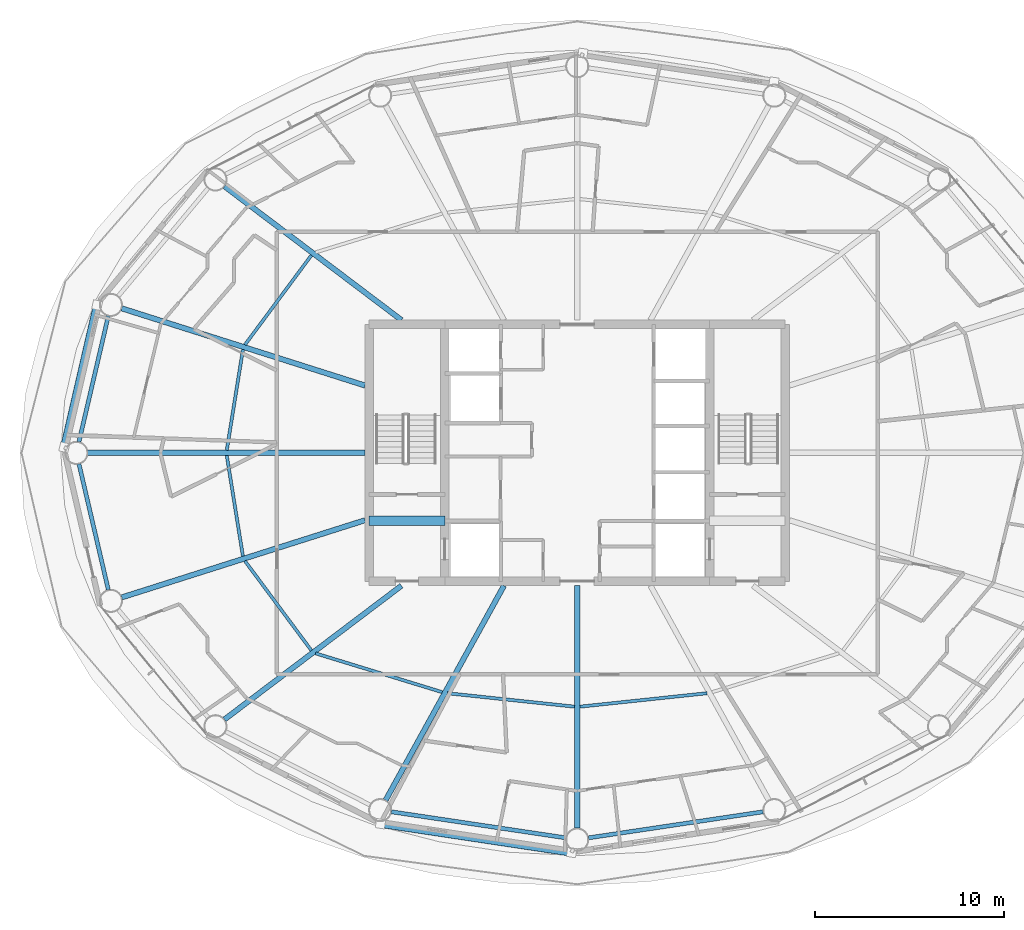
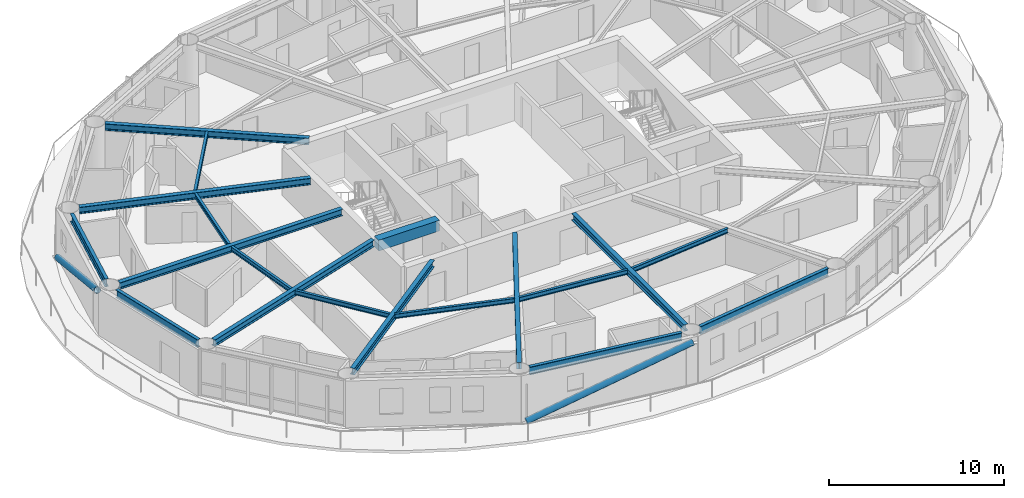
# One storey, part 4 of 28: 19 beams, 2 members.
"""IFC4 building model written with IfcOpenShell, lengths in metres."""

from ifc_helpers import new_model, si_unit, direction, frame, origin, origin_2d, place, context, subcontext, project, spatial, rectangle, hollow_circle, i_section, extrude, material, material_profile, profile_set, type_object, element, save


model = new_model("IFC4")

# Units and contexts
model_context = context("Model", 3, precision=1e-05, world=origin(), true_north=direction((0.0, 1.0)))
body_context = subcontext(model_context, "Body", "Model", "MODEL_VIEW")
ifc_project = project(units=[si_unit("LENGTHUNIT", "METRE"), si_unit("AREAUNIT", "SQUARE_METRE"), si_unit("VOLUMEUNIT", "CUBIC_METRE"), si_unit("PLANEANGLEUNIT", "RADIAN"), si_unit("MASSUNIT", "GRAM", prefix="KILO")], contexts=[model_context])

# Site, building, storey
site_placement = place(None, origin())
site = spatial("IfcSite", under=ifc_project, at=site_placement, CompositionType="ELEMENT")
building_placement = place(site_placement, origin())
building = spatial("IfcBuilding", under=site, at=building_placement, Name="Sarneth Arch Tower", CompositionType="ELEMENT")
storey_placement = place(building_placement, frame((0.0, 0.0, 197.39990234375)))
storey = spatial("IfcBuildingStorey", under=building, at=storey_placement, Name="L50", CompositionType="ELEMENT", Elevation=197.39990234375)

# Beams
ifc_material_1 = material(Name="Steel S355", Category="steel")
ifc_material_profile_1 = material_profile(ifc_material_1, i_section(OverallWidth=0.1669921875, OverallDepth=0.31689453125, WebThickness=0.007568359375, FlangeThickness=0.01318359375, FilletRadius=0.012939453125, at=origin_2d()), Name="W310x52")
ifc_profile_set_1 = profile_set([ifc_material_profile_1], Name="Steel S355")
beam_type_1 = type_object("IfcBeamType", Name="BM-JOIST-310B", PredefinedType="JOIST", material=ifc_profile_set_1)
beam_1_placement = place(storey_placement, frame((33.941162109375, 52.449462890625, 3.091552734375), z_axis=(-0.596190586674, -0.802842938788, 0.0), x_axis=(0.802842938788, -0.596190586674, 0.0)))
element("IfcBeam", 1, at=beam_1_placement, inside=storey, type_object=beam_type_1, Name="L50 Secondary floor joist 07", PredefinedType="JOIST", context=body_context, shape_type="SweptSolid", body=[
    extrude(i_section(OverallWidth=0.1669921875, OverallDepth=0.31689453125, WebThickness=0.007568359375, FlangeThickness=0.01318359375, FilletRadius=0.012939453125, at=origin_2d()), origin(), (0.0, 0.0, 1.0), 5.896484375),
])
for number, where, z_axis, x_axis, name in (
    (2, (30.3203125, 47.46484375, 3.091552734375), (-0.158348792374, -0.987383238643, 0.0), (0.987383238643, -0.158348792374, 0.0), "L50 Secondary floor joist 08"),
    (3, (29.466064453125, 41.86181640625, 3.091552734375), (0.158348792374, -0.987383238643, 0.0), (0.987383238643, 0.158348792374, 0.0), "L50 Secondary floor joist 09"),
):
    element("IfcBeam", number, at=place(storey_placement, frame(where, z_axis=z_axis, x_axis=x_axis)), inside=storey, type_object=beam_type_1, Name=name, PredefinedType="JOIST", context=body_context, shape_type="SweptSolid", body=[
        extrude(i_section(OverallWidth=0.1669921875, OverallDepth=0.31689453125, WebThickness=0.007568359375, FlangeThickness=0.01318359375, FilletRadius=0.012939453125, at=origin_2d()), origin(), (0.0, 0.0, 1.0), 5.394775390625),
    ])
beam_2_placement = place(storey_placement, frame((30.42578125, 36.284423828125, 3.091552734375), z_axis=(0.596190586674, -0.802842938788, 0.0), x_axis=(0.802842938788, 0.596190586674, 0.0)))
element("IfcBeam", 4, at=beam_2_placement, inside=storey, type_object=beam_type_1, Name="L50 Secondary floor joist 10", PredefinedType="JOIST", context=body_context, shape_type="SweptSolid", body=[
    extrude(i_section(OverallWidth=0.1669921875, OverallDepth=0.31689453125, WebThickness=0.007568359375, FlangeThickness=0.01318359375, FilletRadius=0.012939453125, at=origin_2d()), origin(), (0.0, 0.0, 1.0), 5.896484375),
])
beam_3_placement = place(storey_placement, frame((34.15869140625, 31.397216796875, 3.091552734375), z_axis=(0.956178669891, -0.292783796076, 0.0), x_axis=(0.292783796076, 0.956178669891, 0.0)))
element("IfcBeam", 5, at=beam_3_placement, inside=storey, type_object=beam_type_1, Name="L50 Secondary floor joist 11", PredefinedType="JOIST", context=body_context, shape_type="SweptSolid", body=[
    extrude(i_section(OverallWidth=0.1669921875, OverallDepth=0.31689453125, WebThickness=0.007568359375, FlangeThickness=0.01318359375, FilletRadius=0.012939453125, at=origin_2d()), origin(), (0.0, 0.0, 1.0), 7.010986328125),
])
for number, where, z_axis, x_axis, name in (
    (6, (41.1357421875, 29.288818359375, 3.091552734375), (0.994447340543, -0.105235387994, 0.0), (0.105235387994, 0.994447340543, 0.0), "L50 Secondary floor joist 12"),
    (7, (48.13916015625, 28.5771484375, 3.091552734375), (0.994447340543, 0.105235387994, 0.0), (-0.105235387994, 0.994447340543, 0.0), "L50 Secondary floor joist 13"),
):
    element("IfcBeam", number, at=place(storey_placement, frame(where, z_axis=z_axis, x_axis=x_axis)), inside=storey, type_object=beam_type_1, Name=name, PredefinedType="JOIST", context=body_context, shape_type="SweptSolid", body=[
        extrude(i_section(OverallWidth=0.1669921875, OverallDepth=0.31689453125, WebThickness=0.007568359375, FlangeThickness=0.01318359375, FilletRadius=0.012939453125, at=origin_2d()), origin(), (0.0, 0.0, 1.0), 6.7626953125),
    ])
ifc_material_2 = material(Name="Concrete C50/60", Category="concrete")
ifc_material_profile_2 = material_profile(ifc_material_2, rectangle(XDim=0.5, YDim=0.75, at=origin_2d()), Name="RC-500x750")
ifc_profile_set_2 = profile_set([ifc_material_profile_2], Name="Concrete C50/60")
beam_type_2 = type_object("IfcBeamType", Name="BM-LINTEL-RC", PredefinedType="LINTEL", material=ifc_profile_set_2)
beam_4_placement = place(storey_placement, frame((37.0, 38.39990234375, 2.875), z_axis=(1.0, 0.0, 0.0), x_axis=(0.0, 1.0, 0.0)))
element("IfcBeam", 8, at=beam_4_placement, inside=storey, type_object=beam_type_2, Name="L50 Core coupling lintel W", PredefinedType="LINTEL", context=body_context, shape_type="SweptSolid", body=[
    extrude(rectangle(XDim=0.5, YDim=0.75, at=origin_2d()), origin(), (0.0, 0.0, 1.0), 4.0),
])
ifc_material_3 = material(Name="Steel S355", Category="steel")
ifc_material_profile_3 = material_profile(ifc_material_3, i_section(OverallWidth=0.280029296875, OverallDepth=0.462890625, WebThickness=0.0107421875, FlangeThickness=0.017333984375, FilletRadius=0.01806640625, at=origin_2d()), Name="W460x113")
ifc_profile_set_3 = profile_set([ifc_material_profile_3], Name="Steel S355")
beam_type_3 = type_object("IfcBeamType", Name="BM-RAD-460A", PredefinedType="BEAM", material=ifc_profile_set_3)
beam_5_placement = place(storey_placement, frame((38.70458984375, 49.02490234375, 3.0185546875), z_axis=(-0.797784574467, 0.602942594898, 0.0), x_axis=(-0.602942594898, -0.797784574467, 0.0)))
element("IfcBeam", 9, at=beam_5_placement, inside=storey, type_object=beam_type_3, Name="L50 Radial floor girder 07", PredefinedType="BEAM", context=body_context, shape_type="SweptSolid", body=[
    extrude(i_section(OverallWidth=0.280029296875, OverallDepth=0.462890625, WebThickness=0.0107421875, FlangeThickness=0.017333984375, FilletRadius=0.01806640625, at=origin_2d()), origin(), (0.0, 0.0, 1.0), 11.73193359375),
])
beam_6_placement = place(storey_placement, frame((36.77490234375, 45.56201171875, 3.0185546875), z_axis=(-0.95316541071, 0.30244949963, 0.0), x_axis=(-0.30244949963, -0.95316541071, 0.0)))
element("IfcBeam", 10, at=beam_6_placement, inside=storey, type_object=beam_type_3, Name="L50 Radial floor girder 08", PredefinedType="BEAM", context=body_context, shape_type="SweptSolid", body=[
    extrude(i_section(OverallWidth=0.280029296875, OverallDepth=0.462890625, WebThickness=0.0107421875, FlangeThickness=0.017333984375, FilletRadius=0.01806640625, at=origin_2d()), origin(), (0.0, 0.0, 1.0), 13.497314453125),
])
beam_7_placement = place(storey_placement, frame((36.77490234375, 42.0, 3.0185546875), z_axis=(-1.0, 0.0, 0.0), x_axis=(0.0, -1.0, 0.0)))
element("IfcBeam", 11, at=beam_7_placement, inside=storey, type_object=beam_type_3, Name="L50 Radial floor girder 09", PredefinedType="BEAM", context=body_context, shape_type="SweptSolid", body=[
    extrude(i_section(OverallWidth=0.280029296875, OverallDepth=0.462890625, WebThickness=0.0107421875, FlangeThickness=0.017333984375, FilletRadius=0.01806640625, at=origin_2d()), origin(), (0.0, 0.0, 1.0), 14.661865234375),
])
beam_8_placement = place(storey_placement, frame((36.77490234375, 38.43798828125, 3.0185546875), z_axis=(-0.95316541071, -0.30244949963, 0.0), x_axis=(0.30244949963, -0.95316541071, 0.0)))
element("IfcBeam", 12, at=beam_8_placement, inside=storey, type_object=beam_type_3, Name="L50 Radial floor girder 10", PredefinedType="BEAM", context=body_context, shape_type="SweptSolid", body=[
    extrude(i_section(OverallWidth=0.280029296875, OverallDepth=0.462890625, WebThickness=0.0107421875, FlangeThickness=0.017333984375, FilletRadius=0.01806640625, at=origin_2d()), origin(), (0.0, 0.0, 1.0), 13.497314453125),
])
beam_9_placement = place(storey_placement, frame((38.70458984375, 34.97509765625, 3.0185546875), z_axis=(-0.797784574467, -0.602942594898, 0.0), x_axis=(0.602942594898, -0.797784574467, 0.0)))
element("IfcBeam", 13, at=beam_9_placement, inside=storey, type_object=beam_type_3, Name="L50 Radial floor girder 11", PredefinedType="BEAM", context=body_context, shape_type="SweptSolid", body=[
    extrude(i_section(OverallWidth=0.280029296875, OverallDepth=0.462890625, WebThickness=0.0107421875, FlangeThickness=0.017333984375, FilletRadius=0.01806640625, at=origin_2d()), origin(), (0.0, 0.0, 1.0), 11.73193359375),
])
beam_10_placement = place(storey_placement, frame((44.125, 34.97509765625, 3.0185546875), z_axis=(-0.483010082599, -0.875614789795, 0.0), x_axis=(0.875614789795, -0.483010082599, 0.0)))
element("IfcBeam", 14, at=beam_10_placement, inside=storey, type_object=beam_type_3, Name="L50 Radial floor girder 12", PredefinedType="BEAM", context=body_context, shape_type="SweptSolid", body=[
    extrude(i_section(OverallWidth=0.280029296875, OverallDepth=0.462890625, WebThickness=0.0107421875, FlangeThickness=0.017333984375, FilletRadius=0.01806640625, at=origin_2d()), origin(), (0.0, 0.0, 1.0), 12.954345703125),
])
beam_11_placement = place(storey_placement, frame((48.0, 34.97509765625, 3.0185546875), z_axis=(0.0, -1.0, 0.0), x_axis=(1.0, 0.0, 0.0)))
element("IfcBeam", 15, at=beam_11_placement, inside=storey, type_object=beam_type_3, Name="L50 Radial floor girder 13", PredefinedType="BEAM", context=body_context, shape_type="SweptSolid", body=[
    extrude(i_section(OverallWidth=0.280029296875, OverallDepth=0.462890625, WebThickness=0.0107421875, FlangeThickness=0.017333984375, FilletRadius=0.01806640625, at=origin_2d()), origin(), (0.0, 0.0, 1.0), 12.8251953125),
])
ifc_material_4 = material(Name="Steel S355", Category="steel")
ifc_material_profile_4 = material_profile(ifc_material_4, i_section(OverallWidth=0.214111328125, OverallDepth=0.549072265625, WebThickness=0.0146484375, FlangeThickness=0.023681640625, FilletRadius=0.01806640625, at=origin_2d()), Name="W530x138")
ifc_profile_set_4 = profile_set([ifc_material_profile_4], Name="Steel S355")
beam_type_4 = type_object("IfcBeamType", Name="BM-RAD-530A", PredefinedType="BEAM", material=ifc_profile_set_4)
for number, where, z_axis, x_axis, name in (
    (16, (23.20166015625, 49.241455078125, 2.9755859375), (-0.227109937572, -0.973869126863, 0.0), (0.973869126863, -0.227109937572, 0.0), "L50 Perimeter spandrel beam 08"),
    (17, (21.649169921875, 41.415771484375, 2.9755859375), (0.227109937572, -0.973869126863, 0.0), (0.973869126863, 0.227109937572, 0.0), "L50 Perimeter spandrel beam 09"),
):
    element("IfcBeam", number, at=place(storey_placement, frame(where, z_axis=z_axis, x_axis=x_axis)), inside=storey, type_object=beam_type_4, Name=name, PredefinedType="BEAM", context=body_context, shape_type="SweptSolid", body=[
        extrude(i_section(OverallWidth=0.214111328125, OverallDepth=0.549072265625, WebThickness=0.0146484375, FlangeThickness=0.023681640625, FilletRadius=0.01806640625, at=origin_2d()), origin(), (0.0, 0.0, 1.0), 6.8359375),
    ])
for number, where, z_axis, x_axis, name in (
    (18, (38.171630859375, 23.01806640625, 2.9755859375), (0.98902783755, -0.147729267756, 0.0), (0.147729267756, 0.98902783755, 0.0), "L50 Perimeter spandrel beam 12"),
    (19, (48.593505859375, 21.638671875, 2.9755859375), (0.98902783755, 0.147729267756, 0.0), (-0.147729267756, 0.98902783755, 0.0), "L50 Perimeter spandrel beam 13"),
):
    element("IfcBeam", number, at=place(storey_placement, frame(where, z_axis=z_axis, x_axis=x_axis)), inside=storey, type_object=beam_type_4, Name=name, PredefinedType="BEAM", context=body_context, shape_type="SweptSolid", body=[
        extrude(i_section(OverallWidth=0.214111328125, OverallDepth=0.549072265625, WebThickness=0.0146484375, FlangeThickness=0.023681640625, FilletRadius=0.01806640625, at=origin_2d()), origin(), (0.0, 0.0, 1.0), 9.33740234375),
    ])

# Members
ifc_material_5 = material(Name="Steel S355", Category="steel")
ifc_material_profile_5 = material_profile(ifc_material_5, hollow_circle(Radius=0.202880859375, WallThickness=0.01611328125, at=origin_2d()), Name="CHS406x16")
ifc_profile_set_5 = profile_set([ifc_material_profile_5], Name="Steel S355")
member_type = type_object("IfcMemberType", Name="MEM-DIAG-BR2", PredefinedType="BRACE", material=ifc_profile_set_5)
member_1_placement = place(storey_placement, frame((22.609619140625, 49.81298828125, 0.02001953125), z_axis=(-0.210830484731, -0.912039472284, 0.351759161507), x_axis=(0.974306903917, -0.225224459107, 0.0)))
element("IfcMember", 20, at=member_1_placement, inside=storey, type_object=member_type, Name="L50 Perimeter frame diagonal 08", PredefinedType="BRACE", context=body_context, shape_type="SweptSolid", body=[
    extrude(hollow_circle(Radius=0.202880859375, WallThickness=0.01611328125, at=origin_2d()), origin(), (0.0, 0.0, 1.0), 8.24609375),
])
member_2_placement = place(storey_placement, frame((37.595703125, 22.387451171875, 0.02001953125), z_axis=(0.951281934993, -0.143309229935, 0.272992939051), x_axis=(0.148967610144, 0.988842075929, 0.0)))
element("IfcMember", 21, at=member_2_placement, inside=storey, type_object=member_type, Name="L50 Perimeter frame diagonal 12", PredefinedType="BRACE", context=body_context, shape_type="SweptSolid", body=[
    extrude(hollow_circle(Radius=0.202880859375, WallThickness=0.01611328125, at=origin_2d()), origin(), (0.0, 0.0, 1.0), 10.625244140625),
])

save(model, "model.ifc")
